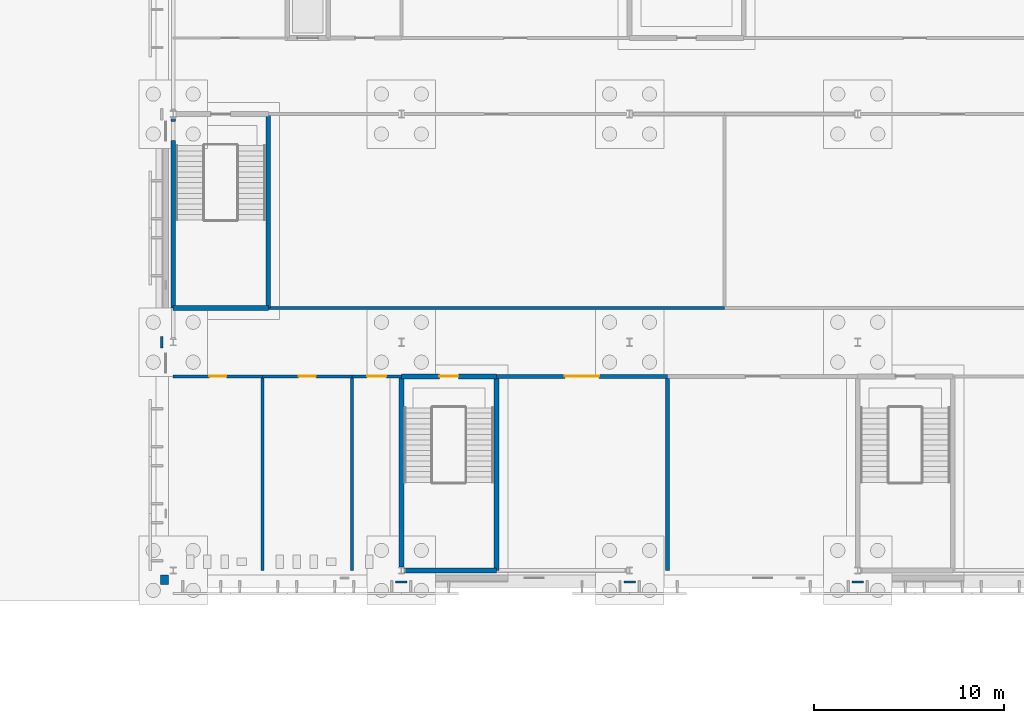
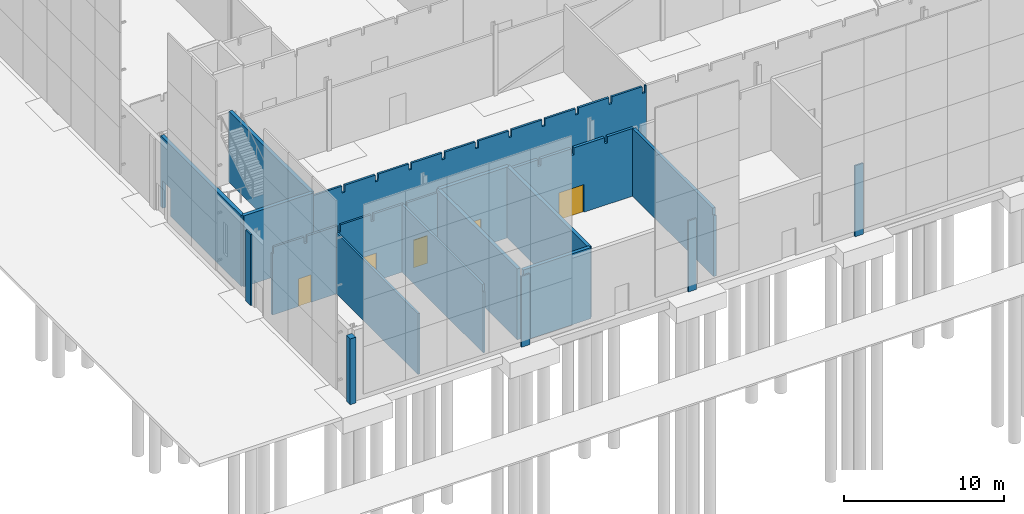
# One storey, part 63 of 132: 20 walls, 5 doors, 6 openings.
"""IFC4 building model written with IfcOpenShell, lengths in metres."""

from ifc_helpers import new_model, si_unit, direction, frame, frame_2d, origin, place, context, subcontext, project, spatial, polyline, rectangle, outline, extrude, material, layer, layer_set, type_object, element, fill, save


model = new_model("IFC4")

# Units and contexts
model_context = context("Model", 3, precision=1e-05, world=origin(), true_north=direction((0.0, 1.0)))
body_context = subcontext(model_context, "Body", "Model", "MODEL_VIEW")
ifc_project = project(units=[si_unit("LENGTHUNIT", "METRE"), si_unit("AREAUNIT", "SQUARE_METRE"), si_unit("VOLUMEUNIT", "CUBIC_METRE"), si_unit("PLANEANGLEUNIT", "RADIAN"), si_unit("MASSUNIT", "GRAM", prefix="KILO")], contexts=[model_context])

# Site, building, storey
site_placement = place(None, origin())
site = spatial("IfcSite", under=ifc_project, at=site_placement, CompositionType="ELEMENT")
building_placement = place(site_placement, origin())
building = spatial("IfcBuilding", under=site, at=building_placement, Name="Ravi Spectrum Wholesale Market", CompositionType="ELEMENT")
storey_placement = place(building_placement, origin())
storey = spatial("IfcBuildingStorey", under=building, at=storey_placement, Name="L00", CompositionType="ELEMENT", Elevation=0.0)

# Wall, opening, door
ifc_material_1 = material(Name="Concrete blockwork", Category="masonry")
ifc_layer_1 = layer(ifc_material_1, 0.14990234375)
ifc_layer_set_1 = layer_set([ifc_layer_1], Name="Concrete blockwork")
wall_type_1 = type_object("IfcWallType", Name="Blockwork partition 150", PredefinedType="PARTITIONING", material=ifc_layer_set_1)
wall_1_placement = place(storey_placement, frame((198.0, 28.199951171875, 0.0), z_axis=(0.0, 0.0, 1.0), x_axis=(1.0, 0.0, 0.0)))
wall_1 = element("IfcWall", 1, at=wall_1_placement, inside=storey, type_object=wall_type_1, Name="CS-WL-L00-065", PredefinedType="PARTITIONING", context=body_context, shape_type="SweptSolid", body=[
    extrude(outline(polyline([(0.0, 0.0), (4.699951171875, 0.0), (4.699951171875, 5.14990234375), (2.5048828125, 5.14990234375), (2.5, 4.6298828125), (2.300048828125, 4.6298828125), (2.294921875, 5.14990234375), (0.10009765625, 5.14990234375), (0.094970703125, 4.679931640625), (0.0, 4.679931640625), (0.0, 0.0)])), frame((0.0, 0.074951171875, 0.0), z_axis=(0.0, -1.0, 0.0), x_axis=(1.0, 0.0, 0.0)), (0.0, 0.0, 1.0), 0.14990234375),
])
opening_1_placement = place(wall_1_placement, frame((1.89990234375, 0.0, 0.0)))
opening_1 = element("IfcOpeningElement", 2, at=opening_1_placement, cuts=wall_1, Name="Opening D459", PredefinedType="OPENING", context=body_context, shape_type="SweptSolid", body=[
    extrude(rectangle(XDim=0.89990234375, YDim=2.10009765625, at=frame_2d((0.449951171875, 1.050048828125))), frame((0.0, 0.0849609375, 0.0), z_axis=(0.0, -1.0, 0.0), x_axis=(1.0, 0.0, 0.0)), (0.0, 0.0, 1.0), 0.169921875),
])
ifc_material_2 = material(Name="Timber door", Category="wood")
door_type_1 = type_object("IfcDoorType", Name="Toilet door 900 x 2100", OperationType="SINGLE_SWING_LEFT", PredefinedType="DOOR", material=ifc_material_2)
door_1_placement = place(opening_1_placement, origin())
door_1 = element("IfcDoor", 3, at=door_1_placement, inside=storey, type_object=door_type_1, Name="Door D459", OperationType="SINGLE_SWING_LEFT", OverallHeight=2.10009765625, OverallWidth=0.89990234375, PredefinedType="DOOR", context=body_context, shape_type="SweptSolid", body=[
    extrude(rectangle(XDim=0.89990234375, YDim=2.10009765625, at=frame_2d((0.449951171875, 1.050048828125))), frame((0.0, 0.02490234375, 0.0), z_axis=(0.0, -1.0, 0.0), x_axis=(1.0, 0.0, 0.0)), (0.0, 0.0, 1.0), 0.050048828125),
])
fill(opening_1, door_1)

wall_2_placement = place(storey_placement, frame((202.699951171875, 28.199951171875, 0.0), z_axis=(0.0, 0.0, 1.0), x_axis=(1.0, 0.0, 0.0)))
wall_2 = element("IfcWall", 4, at=wall_2_placement, inside=storey, type_object=wall_type_1, Name="CS-WL-L00-066", PredefinedType="PARTITIONING", context=body_context, shape_type="SweptSolid", body=[
    extrude(outline(polyline([(0.0, 0.0), (4.699951171875, 0.0), (4.699951171875, 5.14990234375), (2.60498046875, 5.14990234375), (2.60009765625, 4.6298828125), (2.39990234375, 4.6298828125), (2.39501953125, 5.14990234375), (0.205078125, 5.14990234375), (0.199951171875, 4.6298828125), (0.0, 4.6298828125), (0.0, 0.0)])), frame((0.0, 0.074951171875, 0.0), z_axis=(0.0, -1.0, 0.0), x_axis=(1.0, 0.0, 0.0)), (0.0, 0.0, 1.0), 0.14990234375),
])
opening_2_placement = place(wall_2_placement, frame((1.89990234375, 0.0, 0.0)))
opening_2 = element("IfcOpeningElement", 5, at=opening_2_placement, cuts=wall_2, Name="Opening D460", PredefinedType="OPENING", context=body_context, shape_type="SweptSolid", body=[
    extrude(rectangle(XDim=0.89990234375, YDim=2.10009765625, at=frame_2d((0.449951171875, 1.050048828125))), frame((0.0, 0.0849609375, 0.0), z_axis=(0.0, -1.0, 0.0), x_axis=(1.0, 0.0, 0.0)), (0.0, 0.0, 1.0), 0.169921875),
])
door_2_placement = place(opening_2_placement, origin())
door_2 = element("IfcDoor", 6, at=door_2_placement, inside=storey, type_object=door_type_1, Name="Door D460", OperationType="SINGLE_SWING_RIGHT", OverallHeight=2.10009765625, OverallWidth=0.89990234375, PredefinedType="DOOR", context=body_context, shape_type="SweptSolid", body=[
    extrude(rectangle(XDim=0.89990234375, YDim=2.10009765625, at=frame_2d((0.449951171875, 1.050048828125))), frame((0.0, 0.02490234375, 0.0), z_axis=(0.0, -1.0, 0.0), x_axis=(1.0, 0.0, 0.0)), (0.0, 0.0, 1.0), 0.050048828125),
])
fill(opening_2, door_2)

wall_3_placement = place(storey_placement, frame((207.39990234375, 28.199951171875, 0.0), z_axis=(0.0, 0.0, 1.0), x_axis=(1.0, 0.0, 0.0)))
wall_3 = element("IfcWall", 7, at=wall_3_placement, inside=storey, type_object=wall_type_1, Name="CS-WL-L00-067", PredefinedType="PARTITIONING", context=body_context, shape_type="SweptSolid", body=[
    extrude(outline(polyline([(0.0, 0.0), (2.60009765625, 0.0), (2.60009765625, 5.14990234375), (0.304931640625, 5.14990234375), (0.300048828125, 4.6298828125), (0.10009765625, 4.6298828125), (0.094970703125, 5.14990234375), (0.0, 5.14990234375), (0.0, 0.0)])), frame((0.0, 0.074951171875, 0.0), z_axis=(0.0, -1.0, 0.0), x_axis=(1.0, 0.0, 0.0)), (0.0, 0.0, 1.0), 0.14990234375),
])
opening_3_placement = place(wall_3_placement, frame((0.800048828125, 0.0, 0.0)))
opening_3 = element("IfcOpeningElement", 8, at=opening_3_placement, cuts=wall_3, Name="Opening D461", PredefinedType="OPENING", context=body_context, shape_type="SweptSolid", body=[
    extrude(rectangle(XDim=1.0, YDim=2.10009765625, at=frame_2d((0.5, 1.050048828125))), frame((0.0, 0.0849609375, 0.0), z_axis=(0.0, -1.0, 0.0), x_axis=(1.0, 0.0, 0.0)), (0.0, 0.0, 1.0), 0.169921875),
])
ifc_material_3 = material(Name="Timber door", Category="wood")
door_type_2 = type_object("IfcDoorType", Name="Accessible toilet door 1000 x 2100", OperationType="SINGLE_SWING_LEFT", PredefinedType="DOOR", material=ifc_material_3)
door_3_placement = place(opening_3_placement, origin())
door_3 = element("IfcDoor", 9, at=door_3_placement, inside=storey, type_object=door_type_2, Name="Door D461", OperationType="SINGLE_SWING_RIGHT", OverallHeight=2.10009765625, OverallWidth=1.0, PredefinedType="DOOR", context=body_context, shape_type="SweptSolid", body=[
    extrude(rectangle(XDim=1.0, YDim=2.10009765625, at=frame_2d((0.5, 1.050048828125))), frame((0.0, 0.02490234375, 0.0), z_axis=(0.0, -1.0, 0.0), x_axis=(1.0, 0.0, 0.0)), (0.0, 0.0, 1.0), 0.050048828125),
])
fill(opening_3, door_3)

# Walls
wall_4_placement = place(storey_placement, frame((202.699951171875, 18.0, 0.0), z_axis=(0.0, 0.0, 1.0), x_axis=(0.0, 1.0, 0.0)))
element("IfcWall", 10, at=wall_4_placement, inside=storey, type_object=wall_type_1, Name="CS-WL-L00-093", PredefinedType="PARTITIONING", context=body_context, shape_type="SweptSolid", body=[
    extrude(rectangle(XDim=10.125, YDim=0.14990234375, at=frame_2d((5.0625, 0.0))), origin(), (0.0, 0.0, 1.0), 4.6298828125),
])
wall_5_placement = place(storey_placement, frame((207.39990234375, 18.0, 0.0), z_axis=(0.0, 0.0, 1.0), x_axis=(0.0, 1.0, 0.0)))
element("IfcWall", 11, at=wall_5_placement, inside=storey, type_object=wall_type_1, Name="CS-WL-L00-094", PredefinedType="PARTITIONING", context=body_context, shape_type="SweptSolid", body=[
    extrude(outline(polyline([(0.0, 0.0), (10.125, 0.0), (10.125, 5.14990234375), (0.10498046875, 5.14990234375), (0.10009765625, 4.6298828125), (0.0, 4.6298828125), (0.0, 0.0)])), frame((0.0, 0.074951171875, 0.0), z_axis=(0.0, -1.0, 0.0), x_axis=(1.0, 0.0, 0.0)), (0.0, 0.0, 1.0), 0.14990234375),
])

# Wall, opening, door
ifc_material_4 = material(Name="Concrete blockwork", Category="masonry")
ifc_layer_2 = layer(ifc_material_4, 0.199951171875)
ifc_layer_set_2 = layer_set([ifc_layer_2], Name="Concrete blockwork")
wall_type_2 = type_object("IfcWallType", Name="Blockwork partition 200 fire", PredefinedType="PARTITIONING", material=ifc_layer_set_2)
wall_6_placement = place(storey_placement, frame((215.0, 28.199951171875, 0.0), z_axis=(0.0, 0.0, 1.0), x_axis=(1.0, 0.0, 0.0)))
wall_6 = element("IfcWall", 12, at=wall_6_placement, inside=storey, type_object=wall_type_2, Name="CS-WL-L00-068", PredefinedType="PARTITIONING", context=body_context, shape_type="SweptSolid", body=[
    extrude(outline(polyline([(0.0, 0.0), (9.0, 0.0), (9.0, 5.14990234375), (7.10009765625, 5.14990234375), (7.094970703125, 4.679931640625), (6.905029296875, 4.679931640625), (6.89990234375, 5.14990234375), (4.705078125, 5.14990234375), (4.699951171875, 4.6298828125), (4.5, 4.6298828125), (4.4951171875, 5.14990234375), (2.304931640625, 5.14990234375), (2.300048828125, 4.6298828125), (2.10009765625, 4.6298828125), (2.094970703125, 5.14990234375), (0.0, 5.14990234375), (0.0, 0.0)])), frame((0.0, 0.10009765625, 0.0), z_axis=(0.0, -1.0, 0.0), x_axis=(1.0, 0.0, 0.0)), (0.0, 0.0, 1.0), 0.199951171875),
])
opening_4_placement = place(wall_6_placement, frame((3.60009765625, 0.0, 0.0)))
opening_4 = element("IfcOpeningElement", 13, at=opening_4_placement, cuts=wall_6, Name="Opening D462", PredefinedType="OPENING", context=body_context, shape_type="SweptSolid", body=[
    extrude(rectangle(XDim=1.800048828125, YDim=2.10009765625, at=frame_2d((0.89990234375, 1.050048828125))), frame((0.0, 0.10986328125, 0.0), z_axis=(0.0, -1.0, 0.0), x_axis=(1.0, 0.0, 0.0)), (0.0, 0.0, 1.0), 0.219970703125),
])
ifc_material_5 = material(Name="Steel door", Category="steel")
door_type_3 = type_object("IfcDoorType", Name="Double leaf door 1800 x 2100", OperationType="DOUBLE_DOOR_SINGLE_SWING", PredefinedType="DOOR", material=ifc_material_5)
door_4_placement = place(opening_4_placement, origin())
door_4 = element("IfcDoor", 14, at=door_4_placement, inside=storey, type_object=door_type_3, Name="Door D462", OperationType="DOUBLE_DOOR_SINGLE_SWING", OverallHeight=2.10009765625, OverallWidth=1.800048828125, PredefinedType="DOOR", context=body_context, shape_type="SweptSolid", body=[
    extrude(rectangle(XDim=1.800048828125, YDim=2.10009765625, at=frame_2d((0.89990234375, 1.050048828125))), frame((0.0, 0.02490234375, 0.0), z_axis=(0.0, -1.0, 0.0), x_axis=(1.0, 0.0, 0.0)), (0.0, 0.0, 1.0), 0.050048828125),
])
fill(opening_4, door_4)

# Walls
wall_7_placement = place(storey_placement, frame((224.0, 18.0, 0.0), z_axis=(0.0, 0.0, 1.0), x_axis=(0.0, 1.0, 0.0)))
element("IfcWall", 15, at=wall_7_placement, inside=storey, type_object=wall_type_2, Name="CS-WL-L00-098", PredefinedType="PARTITIONING", context=body_context, shape_type="SweptSolid", body=[
    extrude(outline(polyline([(0.0, 0.0), (10.10009765625, 0.0), (10.10009765625, 5.14990234375), (0.10498046875, 5.14990234375), (0.10009765625, 4.6298828125), (0.0, 4.6298828125), (0.0, 0.0)])), frame((0.0, 0.10009765625, 0.0), z_axis=(0.0, -1.0, 0.0), x_axis=(1.0, 0.0, 0.0)), (0.0, 0.0, 1.0), 0.199951171875),
])
ifc_material_6 = material(Name="Clinker brickwork", Category="masonry")
ifc_layer_3 = layer(ifc_material_6, 0.485107421875)
ifc_layer_set_3 = layer_set([ifc_layer_3], Name="Clinker brickwork")
wall_type_3 = type_object("IfcWallType", Name="Brick pier 485", PredefinedType="SOLIDWALL", material=ifc_layer_set_3)
wall_8_placement = place(storey_placement, frame((197.75, 17.507568359375, 0.0), z_axis=(0.0, 0.0, 1.0), x_axis=(-1.0, 0.0, 0.0)))
element("IfcWall", 16, at=wall_8_placement, inside=storey, type_object=wall_type_3, Name="CS-WL-L00-031", PredefinedType="SOLIDWALL", context=body_context, shape_type="SweptSolid", body=[
    extrude(rectangle(XDim=0.4150390625, YDim=0.485107421875, at=frame_2d((0.20751953125, 0.0))), origin(), (0.0, 0.0, 1.0), 5.010009765625),
])
ifc_material_7 = material(Name="Facing brickwork", Category="masonry")
ifc_layer_4 = layer(ifc_material_7, 0.114990234375)
ifc_layer_set_4 = layer_set([ifc_layer_4], Name="Facing brickwork")
wall_type_4 = type_object("IfcWallType", Name="Brick pilaster 115", PredefinedType="SOLIDWALL", material=ifc_layer_set_4)
for number, where, z_axis, x_axis, name in (
    (17, (209.699951171875, 17.392578125, 0.0), (0.0, 0.0, 1.0), (1.0, 0.0, 0.0), "CS-WL-L00-036"),
    (18, (221.699951171875, 17.392578125, 0.0), (0.0, 0.0, 1.0), (1.0, 0.0, 0.0), "CS-WL-L00-037"),
    (19, (233.699951171875, 17.392578125, 0.0), (0.0, 0.0, 1.0), (1.0, 0.0, 0.0), "CS-WL-L00-038"),
    (20, (197.392578125, 30.300048828125, 0.0), (0.0, 0.0, 1.0), (0.0, -1.0, 0.0), "CS-WL-L00-062"),
):
    element("IfcWall", number, at=place(storey_placement, frame(where, z_axis=z_axis, x_axis=x_axis)), inside=storey, type_object=wall_type_4, Name=name, PredefinedType="SOLIDWALL", context=body_context, shape_type="SweptSolid", body=[
        extrude(rectangle(XDim=0.60009765625, YDim=0.114990234375, at=frame_2d((0.300048828125, 0.0))), origin(), (0.0, 0.0, 1.0), 5.39990234375),
    ])
ifc_material_8 = material(Name="Insulated panel")
ifc_layer_5 = layer(ifc_material_8, 0.14990234375)
ifc_layer_set_5 = layer_set([ifc_layer_5], Name="Insulated panel")
wall_type_5 = type_object("IfcWallType", Name="Cold store panel 150", PredefinedType="PARTITIONING", material=ifc_layer_set_5)
wall_9_placement = place(storey_placement, frame((203.0, 31.800048828125, 0.0), z_axis=(0.0, 0.0, 1.0), x_axis=(1.0, 0.0, 0.0)))
element("IfcWall", 21, at=wall_9_placement, inside=storey, type_object=wall_type_5, Name="CS-WL-L00-072", PredefinedType="PARTITIONING", context=body_context, shape_type="SweptSolid", body=[
    extrude(outline(polyline([(0.0, 0.0), (24.0, 0.0), (24.0, 5.14990234375), (23.905029296875, 5.14990234375), (23.89990234375, 4.6298828125), (23.699951171875, 4.6298828125), (23.695068359375, 5.14990234375), (21.5048828125, 5.14990234375), (21.5, 4.6298828125), (21.300048828125, 4.6298828125), (21.294921875, 5.14990234375), (19.10009765625, 5.14990234375), (19.094970703125, 4.679931640625), (18.905029296875, 4.679931640625), (18.89990234375, 5.14990234375), (16.705078125, 5.14990234375), (16.699951171875, 4.6298828125), (16.5, 4.6298828125), (16.4951171875, 5.14990234375), (14.304931640625, 5.14990234375), (14.300048828125, 4.6298828125), (14.10009765625, 4.6298828125), (14.094970703125, 5.14990234375), (11.905029296875, 5.14990234375), (11.89990234375, 4.6298828125), (11.699951171875, 4.6298828125), (11.695068359375, 5.14990234375), (9.5048828125, 5.14990234375), (9.5, 4.6298828125), (9.300048828125, 4.6298828125), (9.294921875, 5.14990234375), (7.10009765625, 5.14990234375), (7.094970703125, 4.679931640625), (6.905029296875, 4.679931640625), (6.89990234375, 5.14990234375), (4.705078125, 5.14990234375), (4.699951171875, 4.6298828125), (4.5, 4.6298828125), (4.4951171875, 5.14990234375), (2.304931640625, 5.14990234375), (2.300048828125, 4.6298828125), (2.10009765625, 4.6298828125), (2.094970703125, 5.14990234375), (0.0, 5.14990234375), (0.0, 0.0)])), frame((0.0, 0.074951171875, 0.0), z_axis=(0.0, -1.0, 0.0), x_axis=(1.0, 0.0, 0.0)), (0.0, 0.0, 1.0), 0.14990234375),
])
ifc_material_9 = material(Name="Concrete C35/45", Category="concrete")
ifc_layer_6 = layer(ifc_material_9, 0.25)
ifc_layer_set_6 = layer_set([ifc_layer_6], Name="Concrete C35/45")
wall_type_6 = type_object("IfcWallType", Name="Concrete core wall 250", PredefinedType="SHEAR", material=ifc_layer_set_6)
wall_10_placement = place(storey_placement, frame((198.0, 31.800048828125, 0.0), z_axis=(0.0, 0.0, 1.0), x_axis=(1.0, 0.0, 0.0)))
element("IfcWall", 22, at=wall_10_placement, inside=storey, type_object=wall_type_6, Name="Stair core wall Stair S-CS-1", PredefinedType="SHEAR", context=body_context, shape_type="SweptSolid", body=[
    extrude(rectangle(XDim=5.0, YDim=0.25, at=frame_2d((2.5, 0.0))), origin(), (0.0, 0.0, 1.0), 5.39990234375),
])
wall_11_placement = place(storey_placement, frame((203.0, 31.800048828125, 0.0), z_axis=(0.0, 0.0, 1.0), x_axis=(0.0, 1.0, 0.0)))
element("IfcWall", 23, at=wall_11_placement, inside=storey, type_object=wall_type_6, Name="Stair core wall Stair S-CS-1", PredefinedType="SHEAR", context=body_context, shape_type="SweptSolid", body=[
    extrude(rectangle(XDim=10.199951171875, YDim=0.25, at=frame_2d((5.10009765625, 0.0))), origin(), (0.0, 0.0, 1.0), 5.39990234375),
])

# Wall, opening
wall_12_placement = place(storey_placement, frame((198.0, 31.800048828125, 0.0), z_axis=(0.0, 0.0, 1.0), x_axis=(0.0, 1.0, 0.0)))
wall_12 = element("IfcWall", 24, at=wall_12_placement, inside=storey, type_object=wall_type_6, Name="Stair core wall Stair S-CS-1", PredefinedType="SHEAR", context=body_context, shape_type="SweptSolid", body=[
    extrude(rectangle(XDim=10.030029296875, YDim=0.25, at=frame_2d((5.01513671875, 0.0))), origin(), (0.0, 0.0, 1.0), 5.39990234375),
])
opening_5_placement = place(wall_12_placement, frame((8.800048828125, 0.0, 0.0)))
element("IfcOpeningElement", 25, at=opening_5_placement, cuts=wall_12, Name="Opening CS-OP-L00-016", PredefinedType="OPENING", context=body_context, shape_type="SweptSolid", body=[
    extrude(rectangle(XDim=1.0, YDim=2.10009765625, at=frame_2d((0.5, 1.050048828125))), frame((0.0, 0.135009765625, 0.0), z_axis=(0.0, -1.0, 0.0), x_axis=(1.0, 0.0, 0.0)), (0.0, 0.0, 1.0), 0.27001953125),
])

# Walls
wall_13_placement = place(storey_placement, frame((210.14990234375, 18.0, 0.0), z_axis=(0.0, 0.0, 1.0), x_axis=(1.0, 0.0, 0.0)))
element("IfcWall", 26, at=wall_13_placement, inside=storey, type_object=wall_type_6, Name="Stair core wall Stair S-CS-6", PredefinedType="SHEAR", context=body_context, shape_type="SweptSolid", body=[
    extrude(rectangle(XDim=4.85009765625, YDim=0.25, at=frame_2d((2.425048828125, 0.0))), origin(), (0.0, 0.0, 1.0), 5.39990234375),
])
wall_14_placement = place(storey_placement, frame((215.0, 18.0, 0.0), z_axis=(0.0, 0.0, 1.0), x_axis=(0.0, 1.0, 0.0)))
element("IfcWall", 27, at=wall_14_placement, inside=storey, type_object=wall_type_6, Name="Stair core wall Stair S-CS-6", PredefinedType="SHEAR", context=body_context, shape_type="SweptSolid", body=[
    extrude(rectangle(XDim=10.199951171875, YDim=0.25, at=frame_2d((5.10009765625, 0.0))), origin(), (0.0, 0.0, 1.0), 5.39990234375),
])

# Wall, opening, door
wall_15_placement = place(storey_placement, frame((210.0, 28.199951171875, 0.0), z_axis=(0.0, 0.0, 1.0), x_axis=(1.0, 0.0, 0.0)))
wall_15 = element("IfcWall", 28, at=wall_15_placement, inside=storey, type_object=wall_type_6, Name="Stair core wall Stair S-CS-6", PredefinedType="SHEAR", context=body_context, shape_type="SweptSolid", body=[
    extrude(rectangle(XDim=5.0, YDim=0.25, at=frame_2d((2.5, 0.0))), origin(), (0.0, 0.0, 1.0), 5.39990234375),
])
opening_6_placement = place(wall_15_placement, frame((2.0, 0.0, 0.0)))
opening_6 = element("IfcOpeningElement", 29, at=opening_6_placement, cuts=wall_15, Name="Opening D455", PredefinedType="OPENING", context=body_context, shape_type="SweptSolid", body=[
    extrude(rectangle(XDim=1.0, YDim=2.10009765625, at=frame_2d((0.5, 1.050048828125))), frame((0.0, 0.135009765625, 0.0), z_axis=(0.0, -1.0, 0.0), x_axis=(1.0, 0.0, 0.0)), (0.0, 0.0, 1.0), 0.27001953125),
])
ifc_material_10 = material(Name="Steel door", Category="steel")
door_type_4 = type_object("IfcDoorType", Name="Stair door 1000 x 2100", OperationType="SINGLE_SWING_LEFT", PredefinedType="DOOR", material=ifc_material_10)
door_5_placement = place(opening_6_placement, origin())
door_5 = element("IfcDoor", 30, at=door_5_placement, inside=storey, type_object=door_type_4, Name="Door D455", OperationType="SINGLE_SWING_RIGHT", OverallHeight=2.10009765625, OverallWidth=1.0, PredefinedType="DOOR", context=body_context, shape_type="SweptSolid", body=[
    extrude(rectangle(XDim=1.0, YDim=2.10009765625, at=frame_2d((0.5, 1.050048828125))), frame((0.0, 0.02490234375, 0.0), z_axis=(0.0, -1.0, 0.0), x_axis=(1.0, 0.0, 0.0)), (0.0, 0.0, 1.0), 0.050048828125),
])
fill(opening_6, door_5)

# Wall
wall_16_placement = place(storey_placement, frame((210.0, 18.169921875, 0.0), z_axis=(0.0, 0.0, 1.0), x_axis=(0.0, 1.0, 0.0)))
element("IfcWall", 31, at=wall_16_placement, inside=storey, type_object=wall_type_6, Name="Stair core wall Stair S-CS-6", PredefinedType="SHEAR", context=body_context, shape_type="SweptSolid", body=[
    extrude(rectangle(XDim=10.030029296875, YDim=0.25, at=frame_2d((5.01513671875, 0.0))), origin(), (0.0, 0.0, 1.0), 5.39990234375),
])

save(model, "model.ifc")
